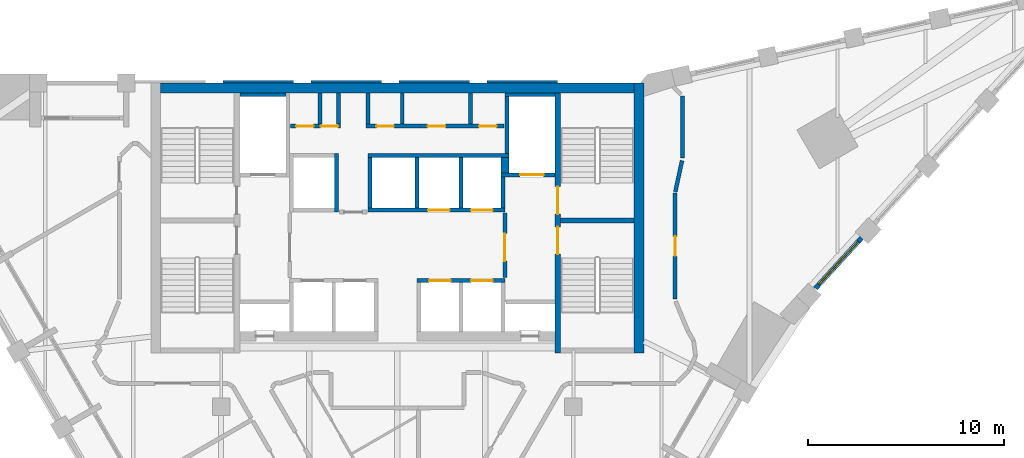
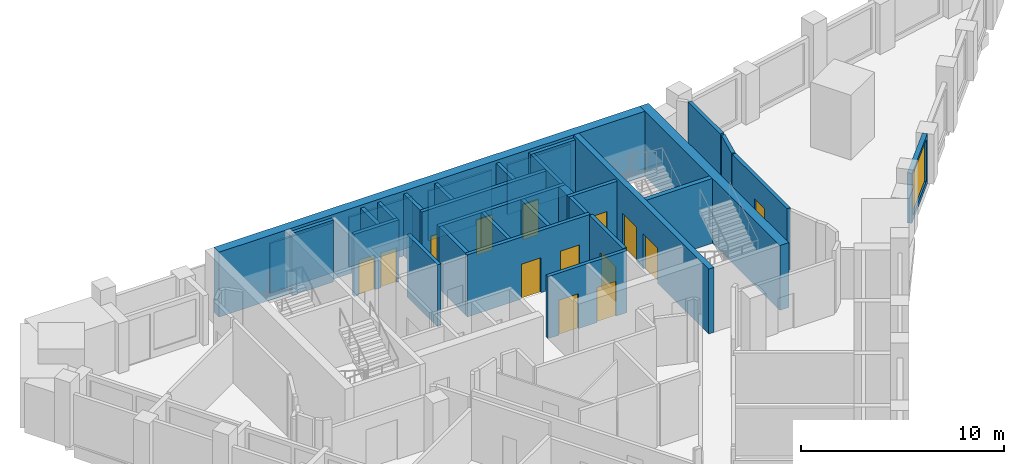
# One storey, part 6 of 8: 33 walls, 14 doors, 1 window, 15 openings.
"""IFC4 building model written with IfcOpenShell, lengths in metres."""

import ifcopenshell
import ifcopenshell.guid

model = None  # the IFC model being written
_history = None  # IfcOwnerHistory: only IFC2X3 demands one
_inside = {}  # id of a spatial element -> (the spatial element, [elements in it])
_under = {}  # id of a project, library or spatial element -> (it, [spatial elements below it])
_declared = {}  # id of a project -> (the project, [libraries it declares])
_typed = {}  # id of a type object -> (the type object, [elements of that type])
_made_of = {}  # id of a material, layer set ... -> (it, [elements and type objects made of it])


def new_model(schema):
    """Start an empty IFC model of exactly this schema.

    Asked for "IFC4X3", IfcOpenShell would pick the latest addendum, in which some entities
    have other attributes; the version numbers below select the first issue.
    IFC2X3 requires an IfcOwnerHistory on every rooted entity: one is made here for all.
    """
    global model, _history
    if schema == "IFC4X3":
        model = ifcopenshell.file(schema_version=(4, 3, 0, 0))
    else:
        model = ifcopenshell.file(schema=schema)
    _inside.clear()
    _under.clear()
    _declared.clear()
    _typed.clear()
    _made_of.clear()
    _history = None
    if model.schema == "IFC2X3":
        org = make("IfcOrganization", Name="unknown")
        user = make(
            "IfcPersonAndOrganization",
            ThePerson=make("IfcPerson", FamilyName="unknown"),
            TheOrganization=org,
        )
        app = make(
            "IfcApplication",
            ApplicationDeveloper=org,
            Version="unknown",
            ApplicationFullName="unknown",
            ApplicationIdentifier="unknown",
        )
        _history = make(
            "IfcOwnerHistory",
            OwningUser=user,
            OwningApplication=app,
            ChangeAction="ADDED",
            CreationDate=0,
        )
    return model


def make(cls, **values):
    """One entity of the class cls with the attributes given. An attribute that is None is left unset."""
    return model.create_entity(
        cls, **{name: value for name, value in values.items() if value is not None}
    )


def rooted(cls, **values):
    """An entity with a GlobalId (a new one), such as an element, a storey or a relation."""
    return make(cls, GlobalId=ifcopenshell.guid.new(), OwnerHistory=_history, **values)


def si_unit(unit_type, name, prefix=None):
    """IfcSIUnit, for example si_unit("LENGTHUNIT", "METRE", prefix="MILLI")."""
    return make("IfcSIUnit", UnitType=unit_type, Prefix=prefix, Name=name)


def assignment(units):
    """IfcUnitAssignment: the units of a project."""
    return None if units is None else make("IfcUnitAssignment", Units=units)


def point(xyz):
    """IfcCartesianPoint."""
    return None if xyz is None else make("IfcCartesianPoint", Coordinates=xyz)


def direction(xyz):
    """IfcDirection."""
    return None if xyz is None else make("IfcDirection", DirectionRatios=xyz)


def frame(location, z_axis=None, x_axis=None):
    """IfcAxis2Placement3D, a coordinate frame: its origin and axes. An axis left out is left unset."""
    return make(
        "IfcAxis2Placement3D",
        Location=point(location),
        Axis=direction(z_axis),
        RefDirection=direction(x_axis),
    )


def frame_2d(location, x_axis=None):
    """IfcAxis2Placement2D, a coordinate frame in the plane: its origin and x axis."""
    return make(
        "IfcAxis2Placement2D", Location=point(location), RefDirection=direction(x_axis)
    )


def origin():
    """The frame at (0, 0, 0) with its axes left unset."""
    return frame((0.0, 0.0, 0.0))


def place(relative_to, where):
    """IfcLocalPlacement: puts the frame where relative to a parent placement (None: the world)."""
    return make(
        "IfcLocalPlacement", PlacementRelTo=relative_to, RelativePlacement=where
    )


def context(
    kind, dimensions, precision=None, world=None, true_north=None, identifier=None
):
    """IfcGeometricRepresentationContext, for example the 3D "Model" context."""
    return make(
        "IfcGeometricRepresentationContext",
        ContextIdentifier=identifier,
        ContextType=kind,
        CoordinateSpaceDimension=dimensions,
        Precision=precision,
        WorldCoordinateSystem=world,
        TrueNorth=true_north,
    )


def subcontext(parent, identifier, kind, view, scale=None):
    """IfcGeometricRepresentationSubContext, for example "Body" below "Model"."""
    return make(
        "IfcGeometricRepresentationSubContext",
        ContextIdentifier=identifier,
        ContextType=kind,
        ParentContext=parent,
        TargetScale=scale,
        TargetView=view,
    )


def project(units=None, contexts=None):
    """IfcProject with its units and contexts."""
    return rooted(
        "IfcProject",
        Name="project",
        RepresentationContexts=contexts,
        UnitsInContext=assignment(units),
    )


def spatial(cls, under=None, at=None, **own):
    """A site, building, storey or space (cls), placed at a placement, below another one or the project."""
    s = rooted(cls, ObjectPlacement=at, **own)
    if under is not None:
        _under.setdefault(under.id(), (under, []))[1].append(s)
    return s


def polyline(points):
    """IfcPolyline through the points."""
    return make("IfcPolyline", Points=[point(p) for p in points])


def profile(cls, at=None, kind="AREA", **sizes):
    """A parametric profile (cls). Its sizes go by their IFC names, for example OverallWidth=200.0."""
    return make(cls, ProfileType=kind, Position=at, **sizes)


def rectangle(**sizes):
    """IfcRectangleProfileDef."""
    return profile("IfcRectangleProfileDef", **sizes)


def outline(outer, holes=None, kind="AREA"):
    """IfcArbitraryClosedProfileDef: a profile drawn as a closed curve; with holes, ...WithVoids."""
    if holes is None:
        return make("IfcArbitraryClosedProfileDef", ProfileType=kind, OuterCurve=outer)
    return make(
        "IfcArbitraryProfileDefWithVoids",
        ProfileType=kind,
        OuterCurve=outer,
        InnerCurves=holes,
    )


def extrude(swept, where, along, depth):
    """IfcExtrudedAreaSolid: the profile swept, set in the frame where, extruded along a direction by depth."""
    return make(
        "IfcExtrudedAreaSolid",
        SweptArea=swept,
        Position=where,
        ExtrudedDirection=direction(along),
        Depth=depth,
    )


def shape(context_of_items, identifier, shape_type, items):
    """IfcShapeRepresentation: the items that make up one representation, for example the "Body"."""
    return make(
        "IfcShapeRepresentation",
        ContextOfItems=context_of_items,
        RepresentationIdentifier=identifier,
        RepresentationType=shape_type,
        Items=items,
    )


def material(Name=None, Category=None):
    """IfcMaterial."""
    return make("IfcMaterial", Name=Name, Category=Category)


def layer(
    of_material, thickness, ventilated=None, Name=None, Category=None, Priority=None
):
    """IfcMaterialLayer: one layer of a wall or slab, of a material (None: an air gap)."""
    return make(
        "IfcMaterialLayer",
        Material=of_material,
        LayerThickness=thickness,
        IsVentilated=ventilated,
        Name=Name,
        Category=Category,
        Priority=Priority,
    )


def layer_set(layers, Name=None):
    """IfcMaterialLayerSet."""
    return make("IfcMaterialLayerSet", MaterialLayers=layers, LayerSetName=Name)


def made_of(thing, what):
    """Note that an element or type object is made of a material, layer set ...; save() writes the relation."""
    if what is not None:
        _made_of.setdefault(what.id(), (what, []))[1].append(thing)
    return thing


def type_object(cls, material=None, **own):
    """A type object (cls), such as IfcWallType, which elements share."""
    return made_of(rooted(cls, **own), material)


def element(
    cls,
    number,
    at=None,
    inside=None,
    cuts=None,
    type_object=None,
    material=None,
    context=None,
    identifier="Body",
    shape_type=None,
    held_by="IfcProductDefinitionShape",
    body=None,
    shapes=None,
    **own,
):
    """One element of the class cls, such as IfcWall. Its Tag is "e" and its number.

    at: its placement. inside: the storey or other place that contains it. cuts: it is an
    opening in that element (IfcRelVoidsElement). A single representation is given by context,
    identifier, shape_type and body (its items); several are given by shapes. held_by: the class
    of the entity that holds the representations. save() writes the other relations.
    """
    e = rooted(cls, Tag="e%d" % number, ObjectPlacement=at, **own)
    if body is not None:
        shapes = [shape(context, identifier, shape_type, body)]
    if shapes is not None:
        e.Representation = make(held_by, Representations=shapes)
    if inside is not None:
        _inside.setdefault(inside.id(), (inside, []))[1].append(e)
    if cuts is not None:
        rooted(
            "IfcRelVoidsElement", RelatingBuildingElement=cuts, RelatedOpeningElement=e
        )
    if type_object is not None:
        _typed.setdefault(type_object.id(), (type_object, []))[1].append(e)
    return made_of(e, material)


def fill(opening, filler):
    """IfcRelFillsElement: the door or window that sits in an opening."""
    return rooted(
        "IfcRelFillsElement",
        RelatingOpeningElement=opening,
        RelatedBuildingElement=filler,
    )


def aggregate(whole, parts):
    """IfcRelAggregates: a whole, such as a stair, and the parts it consists of."""
    return rooted("IfcRelAggregates", RelatingObject=whole, RelatedObjects=parts)


def save(model, path):
    """Write the relations noted so far, then the file.

    IfcRelAggregates (storeys below a building ...), IfcRelContainedInSpatialStructure (elements
    in a storey), IfcRelDefinesByType, IfcRelAssociatesMaterial and IfcRelDeclares: one each for
    every whole, place, type object, material and project.
    """
    for whole, parts in _under.values():
        aggregate(whole, parts)
    for where, things in _inside.values():
        rooted(
            "IfcRelContainedInSpatialStructure",
            RelatedElements=things,
            RelatingStructure=where,
        )
    for kind, things in _typed.values():
        rooted("IfcRelDefinesByType", RelatedObjects=things, RelatingType=kind)
    for what, things in _made_of.values():
        rooted("IfcRelAssociatesMaterial", RelatedObjects=things, RelatingMaterial=what)
    for by, libraries in _declared.values():
        rooted("IfcRelDeclares", RelatingContext=by, RelatedDefinitions=libraries)
    model.write(path)


model = new_model("IFC4")

# Units and contexts
model_context = context("Model", 3, precision=1e-05, world=origin(), true_north=direction((0.0, 1.0)))
body_context = subcontext(model_context, "Body", "Model", "MODEL_VIEW")
ifc_project = project(units=[si_unit("LENGTHUNIT", "METRE"), si_unit("AREAUNIT", "SQUARE_METRE"), si_unit("VOLUMEUNIT", "CUBIC_METRE"), si_unit("PLANEANGLEUNIT", "RADIAN"), si_unit("MASSUNIT", "GRAM", prefix="KILO")], contexts=[model_context])

# Site, building, storey
site_placement = place(None, origin())
site = spatial("IfcSite", under=ifc_project, at=site_placement, CompositionType="ELEMENT")
building_placement = place(site_placement, origin())
building = spatial("IfcBuilding", under=site, at=building_placement, Name="Calabash Gate Tower", CompositionType="ELEMENT")
storey_placement = place(building_placement, frame((0.0, 0.0, 252.10009765625)))
storey = spatial("IfcBuildingStorey", under=building, at=storey_placement, Name="L60", CompositionType="ELEMENT", Elevation=252.10009765625)

# Walls
ifc_material_1 = material(Name="Gypsum board on steel studs, mineral wool", Category="steel")
ifc_layer_1 = layer(ifc_material_1, 0.199951171875)
ifc_layer_set_1 = layer_set([ifc_layer_1], Name="Core partition 200 gypsum board")
wall_type_1 = type_object("IfcWallType", Name="Core partition 200 gypsum board", PredefinedType="PARTITIONING", material=ifc_layer_set_1)
for number, where, z_axis, x_axis, name in (
    (1, (-3.949951171875, 16.95263671875, 0.0), (0.0, 0.0, 1.0), (0.0, 1.0, 0.0), "Core partition"),
    (2, (-3.0, 16.95263671875, 0.0), (0.0, 0.0, 1.0), (0.0, 1.0, 0.0), "Core partition"),
    (3, (-1.5, 16.95263671875, 0.0), (0.0, 0.0, 1.0), (0.0, 1.0, 0.0), "Core partition"),
    (4, (0.25, 16.95263671875, 0.0), (0.0, 0.0, 1.0), (0.0, 1.0, 0.0), "Core partition"),
    (5, (3.75, 16.95263671875, 0.0), (0.0, 0.0, 1.0), (0.0, 1.0, 0.0), "Core partition"),
):
    element("IfcWall", number, at=place(storey_placement, frame(where, z_axis=z_axis, x_axis=x_axis)), inside=storey, type_object=wall_type_1, Name=name, PredefinedType="PARTITIONING", context=body_context, shape_type="SweptSolid", body=[
        extrude(rectangle(XDim=1.599853515625, YDim=0.199951171875, at=frame_2d((0.7998046875, 0.0))), origin(), (0.0, 0.0, 1.0), 3.72998046875),
    ])
ifc_material_2 = material(Name="Concrete C60/75", Category="concrete")
ifc_layer_2 = layer(ifc_material_2, 0.25)
ifc_layer_set_2 = layer_set([ifc_layer_2], Name="Core wall 250 Concrete C60/75")
wall_type_2 = type_object("IfcWallType", Name="Core wall 250 Concrete C60/75", PredefinedType="SHEAR", material=ifc_layer_set_2)
wall_1_placement = place(storey_placement, frame((8.35009765625, 12.027587890625, 0.0), z_axis=(0.0, 0.0, 1.0), x_axis=(1.0, 0.0, 0.0)))
element("IfcWall", 6, at=wall_1_placement, inside=storey, type_object=wall_type_2, Name="Core wall Z5-MIDE L60", PredefinedType="SHEAR", context=body_context, shape_type="SweptSolid", body=[
    extrude(rectangle(XDim=3.75, YDim=0.25, at=frame_2d((1.875, 0.0))), origin(), (0.0, 0.0, 1.0), 3.89990234375),
])

# Wall, openings, doors
ifc_material_3 = material(Name="Concrete C60/75", Category="concrete")
ifc_layer_3 = layer(ifc_material_3, 0.300048828125)
ifc_layer_set_3 = layer_set([ifc_layer_3], Name="Core wall 300 Concrete C60/75")
wall_type_3 = type_object("IfcWallType", Name="Core wall 300 Concrete C60/75", PredefinedType="SHEAR", material=ifc_layer_set_3)
wall_2_placement = place(storey_placement, frame((8.199951171875, 5.252685546875, 0.0), z_axis=(0.0, 0.0, 1.0), x_axis=(0.0, 1.0, 0.0)))
wall_2 = element("IfcWall", 7, at=wall_2_placement, inside=storey, type_object=wall_type_3, Name="Core wall Z5-PARTE L60", PredefinedType="SHEAR", context=body_context, shape_type="SweptSolid", body=[
    extrude(rectangle(XDim=13.2998046875, YDim=0.300048828125, at=frame_2d((6.64990234375, 0.0))), origin(), (0.0, 0.0, 1.0), 3.89990234375),
])
opening_1_placement = place(wall_2_placement, frame((7.10009765625, 0.0, 0.0)))
opening_1 = element("IfcOpeningElement", 8, at=opening_1_placement, cuts=wall_2, Name="Opening O9-013", PredefinedType="OPENING", context=body_context, shape_type="SweptSolid", body=[
    extrude(rectangle(XDim=1.39990234375, YDim=2.10009765625, at=frame_2d((0.699951171875, 1.050048828125))), frame((0.0, 0.159912109375, 0.0), z_axis=(0.0, -1.0, 0.0), x_axis=(1.0, 0.0, 0.0)), (0.0, 0.0, 1.0), 0.320068359375),
])
opening_2_placement = place(wall_2_placement, frame((5.050048828125, 0.0, 0.0)))
opening_2 = element("IfcOpeningElement", 9, at=opening_2_placement, cuts=wall_2, Name="Opening O9-014", PredefinedType="OPENING", context=body_context, shape_type="SweptSolid", body=[
    extrude(rectangle(XDim=1.39990234375, YDim=2.10009765625, at=frame_2d((0.699951171875, 1.050048828125))), frame((0.0, 0.159912109375, 0.0), z_axis=(0.0, -1.0, 0.0), x_axis=(1.0, 0.0, 0.0)), (0.0, 0.0, 1.0), 0.320068359375),
])
ifc_material_4 = material(Name="Steel fire door set with fire-resisting glazing", Category="steel")
door_type_1 = type_object("IfcDoorType", Name="Fire door D05 1400x2100 FD90", OperationType="NOTDEFINED", PredefinedType="DOOR", material=ifc_material_4)
door_1_placement = place(opening_1_placement, origin())
door_1 = element("IfcDoor", 10, at=door_1_placement, inside=storey, type_object=door_type_1, Name="Exit stair door ST3", OperationType="SINGLE_SWING_RIGHT", OverallHeight=2.10009765625, OverallWidth=1.39990234375, PredefinedType="DOOR", context=body_context, shape_type="SweptSolid", body=[
    extrude(rectangle(XDim=1.39990234375, YDim=2.10009765625, at=frame_2d((0.699951171875, 1.050048828125))), frame((0.0, 0.02490234375, 0.0), z_axis=(0.0, -1.0, 0.0), x_axis=(1.0, 0.0, 0.0)), (0.0, 0.0, 1.0), 0.050048828125),
])
fill(opening_1, door_1)
door_2_placement = place(opening_2_placement, origin())
door_2 = element("IfcDoor", 11, at=door_2_placement, inside=storey, type_object=door_type_1, Name="Exit stair door ST4", OperationType="SINGLE_SWING_LEFT", OverallHeight=2.10009765625, OverallWidth=1.39990234375, PredefinedType="DOOR", context=body_context, shape_type="SweptSolid", body=[
    extrude(rectangle(XDim=1.39990234375, YDim=2.10009765625, at=frame_2d((0.699951171875, 1.050048828125))), frame((0.0, 0.02490234375, 0.0), z_axis=(0.0, -1.0, 0.0), x_axis=(1.0, 0.0, 0.0)), (0.0, 0.0, 1.0), 0.050048828125),
])
fill(opening_2, door_2)

# Walls
ifc_material_5 = material(Name="Concrete C60/75", Category="concrete")
ifc_layer_4 = layer(ifc_material_5, 0.5)
ifc_layer_set_4 = layer_set([ifc_layer_4], Name="Core wall 500 Concrete C60/75")
wall_type_4 = type_object("IfcWallType", Name="Core wall 500 Concrete C60/75", PredefinedType="SHEAR", material=ifc_layer_set_4)
wall_3_placement = place(storey_placement, frame((-12.10009765625, 18.802490234375, 0.0), z_axis=(0.0, 0.0, 1.0), x_axis=(1.0, 0.0, 0.0)))
element("IfcWall", 12, at=wall_3_placement, inside=storey, type_object=wall_type_4, Name="Core wall Z5-N L60", PredefinedType="SHEAR", context=body_context, shape_type="SweptSolid", body=[
    extrude(rectangle(XDim=24.2001953125, YDim=0.5, at=frame_2d((12.10009765625, 0.0))), origin(), (0.0, 0.0, 1.0), 3.89990234375),
])
wall_4_placement = place(storey_placement, frame((12.35009765625, 5.252685546875, 0.0), z_axis=(0.0, 0.0, 1.0), x_axis=(0.0, 1.0, 0.0)))
element("IfcWall", 13, at=wall_4_placement, inside=storey, type_object=wall_type_4, Name="Core wall Z5-COLE L60", PredefinedType="SHEAR", context=body_context, shape_type="SweptSolid", body=[
    extrude(rectangle(XDim=13.7998046875, YDim=0.5, at=frame_2d((6.89990234375, 0.0))), origin(), (0.0, 0.0, 1.0), 3.89990234375),
])

# Wall, opening, door
ifc_material_6 = material(Name="Gypsum board on steel studs, mineral wool", Category="steel")
ifc_layer_5 = layer(ifc_material_6, 0.199951171875)
ifc_layer_set_5 = layer_set([ifc_layer_5], Name="Partition 200 gypsum board EI 60")
wall_type_5 = type_object("IfcWallType", Name="Partition 200 gypsum board EI 60", PredefinedType="PARTITIONING", material=ifc_layer_set_5)
wall_5_placement = place(storey_placement, frame((14.200439453125, 8.017333984375, 0.0), z_axis=(0.0, 0.0, 1.0), x_axis=(0.0, 1.0, 0.0)))
wall_5 = element("IfcWall", 14, at=wall_5_placement, inside=storey, type_object=wall_type_5, Name="Partition", PredefinedType="PARTITIONING", context=body_context, shape_type="SweptSolid", body=[
    extrude(rectangle(XDim=5.400146484375, YDim=0.199951171875, at=frame_2d((2.7001953125, 0.0))), origin(), (0.0, 0.0, 1.0), 3.72998046875),
])
opening_3_placement = place(wall_5_placement, frame((2.2001953125, 0.0, 0.0)))
opening_3 = element("IfcOpeningElement", 15, at=opening_3_placement, cuts=wall_5, Name="Opening 59-61-010", PredefinedType="OPENING", context=body_context, shape_type="SweptSolid", body=[
    extrude(rectangle(XDim=1.0, YDim=2.39990234375, at=frame_2d((0.5, 1.199951171875))), frame((0.0, 0.10986328125, 0.0), z_axis=(0.0, -1.0, 0.0), x_axis=(1.0, 0.0, 0.0)), (0.0, 0.0, 1.0), 0.219970703125),
])
ifc_material_7 = material(Name="Painted timber door", Category="wood")
door_type_2 = type_object("IfcDoorType", Name="OD2 Glazed office door 1000x2400", OperationType="NOTDEFINED", PredefinedType="DOOR", material=ifc_material_7)
door_3_placement = place(opening_3_placement, origin())
door_3 = element("IfcDoor", 16, at=door_3_placement, inside=storey, type_object=door_type_2, Name="Glazed office door", OperationType="SINGLE_SWING_LEFT", OverallHeight=2.39990234375, OverallWidth=1.0, PredefinedType="DOOR", context=body_context, shape_type="SweptSolid", body=[
    extrude(rectangle(XDim=1.0, YDim=2.39990234375, at=frame_2d((0.5, 1.199951171875))), frame((0.0, 0.02490234375, 0.0), z_axis=(0.0, -1.0, 0.0), x_axis=(1.0, 0.0, 0.0)), (0.0, 0.0, 1.0), 0.050048828125),
])
fill(opening_3, door_3)

# Walls
wall_6_placement = place(storey_placement, frame((14.2080078125, 13.48681640625, 0.0), z_axis=(0.0, 0.0, 1.0), x_axis=(0.210294567168, 0.977638069543, 0.0)))
element("IfcWall", 17, at=wall_6_placement, inside=storey, type_object=wall_type_5, Name="Partition", PredefinedType="PARTITIONING", context=body_context, shape_type="SweptSolid", body=[
    extrude(rectangle(XDim=1.633544921875, YDim=0.199951171875, at=frame_2d((0.81689453125, 0.0))), origin(), (0.0, 0.0, 1.0), 3.72998046875),
])
wall_7_placement = place(storey_placement, frame((14.566162109375, 18.392578125, 0.0), z_axis=(0.0, 0.0, 1.0), x_axis=(0.0, -1.0, 0.0)))
element("IfcWall", 18, at=wall_7_placement, inside=storey, type_object=wall_type_5, Name="Partition", PredefinedType="PARTITIONING", context=body_context, shape_type="SweptSolid", body=[
    extrude(rectangle(XDim=3.169921875, YDim=0.199951171875, at=frame_2d((1.5849609375, 0.0))), origin(), (0.0, 0.0, 1.0), 3.72998046875),
])

# Wall, opening, window
ifc_material_8 = material(Name="Aluminium framed window wall with insulated spandrel", Category="aluminium")
ifc_layer_6 = layer(ifc_material_8, 0.25)
ifc_layer_set_6 = layer_set([ifc_layer_6], Name="Prow window wall 250")
wall_type_6 = type_object("IfcWallType", Name="Prow window wall 250", PredefinedType="ELEMENTEDWALL", material=ifc_layer_set_6)
wall_8_placement = place(storey_placement, frame((21.367919921875, 8.5537109375, 0.0), z_axis=(0.0, 0.0, 1.0), x_axis=(0.67487449122, 0.737932531537, 0.0)))
wall_8 = element("IfcWall", 19, at=wall_8_placement, inside=storey, type_object=wall_type_6, Name="Prow window wall S17 wedge3.1", PredefinedType="ELEMENTEDWALL", context=body_context, shape_type="SweptSolid", body=[
    extrude(rectangle(XDim=3.5, YDim=0.25, at=frame_2d((1.75, 0.0))), origin(), (0.0, 0.0, 1.0), 3.0),
])
opening_4_placement = place(wall_8_placement, frame((0.25, 0.0, 0.300048828125)))
opening_4 = element("IfcOpeningElement", 20, at=opening_4_placement, cuts=wall_8, Name="Opening WP2", PredefinedType="OPENING", context=body_context, shape_type="SweptSolid", body=[
    extrude(rectangle(XDim=3.0, YDim=2.5, at=frame_2d((1.5, 1.25))), frame((0.0, 0.135009765625, 0.0), z_axis=(0.0, -1.0, 0.0), x_axis=(1.0, 0.0, 0.0)), (0.0, 0.0, 1.0), 0.27001953125),
])
ifc_material_9 = material(Name="Anodised aluminium frame, bronze finish, impact-rated laminated clear glazing", Category="aluminium")
window_type = type_object("IfcWindowType", Name="Window WP2 3000x2500", PartitioningType="DOUBLE_PANEL_VERTICAL", PredefinedType="WINDOW", material=ifc_material_9)
window_placement = place(opening_4_placement, origin())
window = element("IfcWindow", 21, at=window_placement, inside=storey, type_object=window_type, Name="Prow window WP2 S17 wedge3.1", OverallHeight=2.5, OverallWidth=3.0, PartitioningType="SINGLE_PANEL", PredefinedType="WINDOW", context=body_context, shape_type="SweptSolid", body=[
    extrude(rectangle(XDim=3.0, YDim=2.5, at=frame_2d((1.5, 1.25))), frame((0.0, 0.030029296875, 0.0), z_axis=(0.0, -1.0, 0.0), x_axis=(1.0, 0.0, 0.0)), (0.0, 0.0, 1.0), 0.06005859375),
])
fill(opening_4, window)

# Wall, openings, doors
ifc_material_10 = material(Name="Concrete C40/50", Category="concrete")
ifc_layer_7 = layer(ifc_material_10, 0.199951171875)
ifc_layer_set_7 = layer_set([ifc_layer_7], Name="Shaft wall 200 Concrete C40/50")
wall_type_7 = type_object("IfcWallType", Name="Shaft wall 200 Concrete C40/50", PredefinedType="SOLIDWALL", material=ifc_layer_set_7)
wall_9_placement = place(storey_placement, frame((1.0, 8.95263671875, 0.0), z_axis=(0.0, 0.0, 1.0), x_axis=(1.0, 0.0, 0.0)))
wall_9 = element("IfcWall", 22, at=wall_9_placement, inside=storey, type_object=wall_type_7, Name="Shaft wall", PredefinedType="SOLIDWALL", context=body_context, shape_type="SweptSolid", body=[
    extrude(rectangle(XDim=4.5, YDim=0.199951171875, at=frame_2d((2.25, 0.0))), origin(), (0.0, 0.0, 1.0), 3.72998046875),
])
opening_5_placement = place(wall_9_placement, frame((0.625, 0.0, 0.0)))
opening_5 = element("IfcOpeningElement", 23, at=opening_5_placement, cuts=wall_9, Name="Opening LD-HR3", PredefinedType="OPENING", context=body_context, shape_type="SweptSolid", body=[
    extrude(rectangle(XDim=1.10009765625, YDim=2.10009765625, at=frame_2d((0.550048828125, 1.050048828125))), frame((0.0, 0.10986328125, 0.0), z_axis=(0.0, -1.0, 0.0), x_axis=(1.0, 0.0, 0.0)), (0.0, 0.0, 1.0), 0.219970703125),
])
opening_6_placement = place(wall_9_placement, frame((2.77490234375, 0.0, 0.0)))
opening_6 = element("IfcOpeningElement", 24, at=opening_6_placement, cuts=wall_9, Name="Opening LD-HR4", PredefinedType="OPENING", context=body_context, shape_type="SweptSolid", body=[
    extrude(rectangle(XDim=1.10009765625, YDim=2.10009765625, at=frame_2d((0.550048828125, 1.050048828125))), frame((0.0, 0.10986328125, 0.0), z_axis=(0.0, -1.0, 0.0), x_axis=(1.0, 0.0, 0.0)), (0.0, 0.0, 1.0), 0.219970703125),
])
ifc_material_11 = material(Name="Stainless steel sliding door leaves", Category="steel")
door_type_3 = type_object("IfcDoorType", Name="Lift landing door LS1 1100x2100 FD90", OperationType="DOUBLE_DOOR_SLIDING", PredefinedType="DOOR", material=ifc_material_11)
door_4_placement = place(opening_5_placement, origin())
door_4 = element("IfcDoor", 25, at=door_4_placement, inside=storey, type_object=door_type_3, Name="Lift landing door HR3", OperationType="DOUBLE_DOOR_SLIDING", OverallHeight=2.10009765625, OverallWidth=1.10009765625, PredefinedType="DOOR", context=body_context, shape_type="SweptSolid", body=[
    extrude(rectangle(XDim=1.10009765625, YDim=2.10009765625, at=frame_2d((0.550048828125, 1.050048828125))), frame((0.0, 0.02490234375, 0.0), z_axis=(0.0, -1.0, 0.0), x_axis=(1.0, 0.0, 0.0)), (0.0, 0.0, 1.0), 0.050048828125),
])
fill(opening_5, door_4)
door_5_placement = place(opening_6_placement, origin())
door_5 = element("IfcDoor", 26, at=door_5_placement, inside=storey, type_object=door_type_3, Name="Lift landing door HR4", OperationType="DOUBLE_DOOR_SLIDING", OverallHeight=2.10009765625, OverallWidth=1.10009765625, PredefinedType="DOOR", context=body_context, shape_type="SweptSolid", body=[
    extrude(rectangle(XDim=1.10009765625, YDim=2.10009765625, at=frame_2d((0.550048828125, 1.050048828125))), frame((0.0, 0.02490234375, 0.0), z_axis=(0.0, -1.0, 0.0), x_axis=(1.0, 0.0, 0.0)), (0.0, 0.0, 1.0), 0.050048828125),
])
fill(opening_6, door_5)

# Wall, opening, door
wall_10_placement = place(storey_placement, frame((5.5, 9.1025390625, 0.0), z_axis=(0.0, 0.0, 1.0), x_axis=(0.0, 1.0, 0.0)))
wall_10 = element("IfcWall", 27, at=wall_10_placement, inside=storey, type_object=wall_type_7, Name="Shaft wall", PredefinedType="SOLIDWALL", context=body_context, shape_type="SweptSolid", body=[
    extrude(rectangle(XDim=3.300048828125, YDim=0.199951171875, at=frame_2d((1.64990234375, 0.0))), origin(), (0.0, 0.0, 1.0), 3.72998046875),
])
opening_7_placement = place(wall_10_placement, frame((0.85009765625, 0.0, 0.0)))
opening_7 = element("IfcOpeningElement", 28, at=opening_7_placement, cuts=wall_10, Name="Opening O9-002", PredefinedType="OPENING", context=body_context, shape_type="SweptSolid", body=[
    extrude(rectangle(XDim=1.39990234375, YDim=2.10009765625, at=frame_2d((0.699951171875, 1.050048828125))), frame((0.0, 0.10986328125, 0.0), z_axis=(0.0, -1.0, 0.0), x_axis=(1.0, 0.0, 0.0)), (0.0, 0.0, 1.0), 0.219970703125),
])
door_6_placement = place(opening_7_placement, origin())
door_6 = element("IfcDoor", 29, at=door_6_placement, inside=storey, type_object=door_type_1, Name="Firefighting Lobby E door", OperationType="SINGLE_SWING_LEFT", OverallHeight=2.10009765625, OverallWidth=1.39990234375, PredefinedType="DOOR", context=body_context, shape_type="SweptSolid", body=[
    extrude(rectangle(XDim=1.39990234375, YDim=2.10009765625, at=frame_2d((0.699951171875, 1.050048828125))), frame((0.0, 0.02490234375, 0.0), z_axis=(0.0, -1.0, 0.0), x_axis=(1.0, 0.0, 0.0)), (0.0, 0.0, 1.0), 0.050048828125),
])
fill(opening_7, door_6)

# Wall
wall_11_placement = place(storey_placement, frame((-3.10009765625, 12.45263671875, 0.0), z_axis=(0.0, 0.0, 1.0), x_axis=(0.0, 1.0, 0.0)))
element("IfcWall", 30, at=wall_11_placement, inside=storey, type_object=wall_type_7, Name="Shaft wall", PredefinedType="SOLIDWALL", context=body_context, shape_type="SweptSolid", body=[
    extrude(rectangle(XDim=3.0, YDim=0.199951171875, at=frame_2d((1.5, 0.0))), origin(), (0.0, 0.0, 1.0), 3.72998046875),
])

# Wall, openings, doors
wall_12_placement = place(storey_placement, frame((-1.5, 12.552490234375, 0.0), z_axis=(0.0, 0.0, 1.0), x_axis=(1.0, 0.0, 0.0)))
wall_12 = element("IfcWall", 31, at=wall_12_placement, inside=storey, type_object=wall_type_7, Name="Shaft wall", PredefinedType="SOLIDWALL", context=body_context, shape_type="SweptSolid", body=[
    extrude(rectangle(XDim=7.0, YDim=0.199951171875, at=frame_2d((3.5, 0.0))), origin(), (0.0, 0.0, 1.0), 3.72998046875),
])
opening_8_placement = place(wall_12_placement, frame((3.074951171875, 0.0, 0.0)))
opening_8 = element("IfcOpeningElement", 32, at=opening_8_placement, cuts=wall_12, Name="Opening LD-HR5", PredefinedType="OPENING", context=body_context, shape_type="SweptSolid", body=[
    extrude(rectangle(XDim=1.10009765625, YDim=2.10009765625, at=frame_2d((0.550048828125, 1.050048828125))), frame((0.0, 0.10986328125, 0.0), z_axis=(0.0, -1.0, 0.0), x_axis=(1.0, 0.0, 0.0)), (0.0, 0.0, 1.0), 0.219970703125),
])
opening_9_placement = place(wall_12_placement, frame((5.27490234375, 0.0, 0.0)))
opening_9 = element("IfcOpeningElement", 33, at=opening_9_placement, cuts=wall_12, Name="Opening LD-HR6", PredefinedType="OPENING", context=body_context, shape_type="SweptSolid", body=[
    extrude(rectangle(XDim=1.10009765625, YDim=2.10009765625, at=frame_2d((0.550048828125, 1.050048828125))), frame((0.0, 0.10986328125, 0.0), z_axis=(0.0, -1.0, 0.0), x_axis=(1.0, 0.0, 0.0)), (0.0, 0.0, 1.0), 0.219970703125),
])
door_7_placement = place(opening_8_placement, origin())
door_7 = element("IfcDoor", 34, at=door_7_placement, inside=storey, type_object=door_type_3, Name="Lift landing door HR5", OperationType="DOUBLE_DOOR_SLIDING", OverallHeight=2.10009765625, OverallWidth=1.10009765625, PredefinedType="DOOR", context=body_context, shape_type="SweptSolid", body=[
    extrude(rectangle(XDim=1.10009765625, YDim=2.10009765625, at=frame_2d((0.550048828125, 1.050048828125))), frame((0.0, 0.02490234375, 0.0), z_axis=(0.0, -1.0, 0.0), x_axis=(1.0, 0.0, 0.0)), (0.0, 0.0, 1.0), 0.050048828125),
])
fill(opening_8, door_7)
door_8_placement = place(opening_9_placement, origin())
door_8 = element("IfcDoor", 35, at=door_8_placement, inside=storey, type_object=door_type_3, Name="Lift landing door HR6", OperationType="DOUBLE_DOOR_SLIDING", OverallHeight=2.10009765625, OverallWidth=1.10009765625, PredefinedType="DOOR", context=body_context, shape_type="SweptSolid", body=[
    extrude(rectangle(XDim=1.10009765625, YDim=2.10009765625, at=frame_2d((0.550048828125, 1.050048828125))), frame((0.0, 0.02490234375, 0.0), z_axis=(0.0, -1.0, 0.0), x_axis=(1.0, 0.0, 0.0)), (0.0, 0.0, 1.0), 0.050048828125),
])
fill(opening_9, door_8)

# Walls
for number, where, z_axis, x_axis, name in (
    (36, (-1.39990234375, 12.652587890625, 0.0), (0.0, 0.0, 1.0), (0.0, 1.0, 0.0), "Shaft wall"),
    (37, (1.0, 12.652587890625, 0.0), (0.0, 0.0, 1.0), (0.0, 1.0, 0.0), "Shaft wall"),
    (38, (3.25, 12.652587890625, 0.0), (0.0, 0.0, 1.0), (0.0, 1.0, 0.0), "Shaft wall"),
):
    element("IfcWall", number, at=place(storey_placement, frame(where, z_axis=z_axis, x_axis=x_axis)), inside=storey, type_object=wall_type_7, Name=name, PredefinedType="SOLIDWALL", context=body_context, shape_type="SweptSolid", body=[
        extrude(rectangle(XDim=2.60009765625, YDim=0.199951171875, at=frame_2d((1.300048828125, 0.0))), origin(), (0.0, 0.0, 1.0), 3.72998046875),
    ])
wall_13_placement = place(storey_placement, frame((5.39990234375, 12.652587890625, 0.0), z_axis=(0.0, 0.0, 1.0), x_axis=(0.0, 1.0, 0.0)))
element("IfcWall", 39, at=wall_13_placement, inside=storey, type_object=wall_type_7, Name="Shaft wall", PredefinedType="SOLIDWALL", context=body_context, shape_type="SweptSolid", body=[
    extrude(rectangle(XDim=1.60009765625, YDim=0.199951171875, at=frame_2d((0.800048828125, 0.0))), origin(), (0.0, 0.0, 1.0), 3.72998046875),
])

# Wall, opening, door
wall_14_placement = place(storey_placement, frame((5.300048828125, 14.3525390625, 0.0), z_axis=(0.0, 0.0, 1.0), x_axis=(1.0, 0.0, 0.0)))
wall_14 = element("IfcWall", 40, at=wall_14_placement, inside=storey, type_object=wall_type_7, Name="Shaft wall", PredefinedType="SOLIDWALL", context=body_context, shape_type="SweptSolid", body=[
    extrude(rectangle(XDim=2.75, YDim=0.199951171875, at=frame_2d((1.375, 0.0))), origin(), (0.0, 0.0, 1.0), 3.72998046875),
])
opening_10_placement = place(wall_14_placement, frame((0.97509765625, 0.0, 0.0)))
opening_10 = element("IfcOpeningElement", 41, at=opening_10_placement, cuts=wall_14, Name="Opening LD-FF2", PredefinedType="OPENING", context=body_context, shape_type="SweptSolid", body=[
    extrude(rectangle(XDim=1.199951171875, YDim=2.10009765625, at=frame_2d((0.60009765625, 1.050048828125))), frame((0.0, 0.10986328125, 0.0), z_axis=(0.0, -1.0, 0.0), x_axis=(1.0, 0.0, 0.0)), (0.0, 0.0, 1.0), 0.219970703125),
])
ifc_material_12 = material(Name="Stainless steel sliding door leaves", Category="steel")
door_type_4 = type_object("IfcDoorType", Name="Lift landing door LS3 1200x2100 FD90", OperationType="DOUBLE_DOOR_SLIDING", PredefinedType="DOOR", material=ifc_material_12)
door_9_placement = place(opening_10_placement, origin())
door_9 = element("IfcDoor", 42, at=door_9_placement, inside=storey, type_object=door_type_4, Name="Lift landing door FF2", OperationType="DOUBLE_DOOR_SLIDING", OverallHeight=2.10009765625, OverallWidth=1.199951171875, PredefinedType="DOOR", context=body_context, shape_type="SweptSolid", body=[
    extrude(rectangle(XDim=1.199951171875, YDim=2.10009765625, at=frame_2d((0.60009765625, 1.050048828125))), frame((0.0, 0.02490234375, 0.0), z_axis=(0.0, -1.0, 0.0), x_axis=(1.0, 0.0, 0.0)), (0.0, 0.0, 1.0), 0.050048828125),
])
fill(opening_10, door_9)

# Walls
wall_15_placement = place(storey_placement, frame((5.5, 14.45263671875, 0.0), z_axis=(0.0, 0.0, 1.0), x_axis=(0.0, 1.0, 0.0)))
element("IfcWall", 43, at=wall_15_placement, inside=storey, type_object=wall_type_7, Name="Shaft wall", PredefinedType="SOLIDWALL", context=body_context, shape_type="SweptSolid", body=[
    extrude(rectangle(XDim=0.800048828125, YDim=0.39990234375, at=frame_2d((0.39990234375, 0.0))), origin(), (0.0, 0.0, 1.0), 3.72998046875),
])
wall_16_placement = place(storey_placement, frame((-1.5, 15.3525390625, 0.0), z_axis=(0.0, 0.0, 1.0), x_axis=(1.0, 0.0, 0.0)))
element("IfcWall", 44, at=wall_16_placement, inside=storey, type_object=wall_type_7, Name="Shaft wall", PredefinedType="SOLIDWALL", context=body_context, shape_type="SweptSolid", body=[
    extrude(rectangle(XDim=7.199951171875, YDim=0.199951171875, at=frame_2d((3.60009765625, 0.0))), origin(), (0.0, 0.0, 1.0), 3.72998046875),
])
wall_17_placement = place(storey_placement, frame((5.60009765625, 15.45263671875, 0.0), z_axis=(0.0, 0.0, 1.0), x_axis=(0.0, 1.0, 0.0)))
element("IfcWall", 45, at=wall_17_placement, inside=storey, type_object=wall_type_7, Name="Shaft wall", PredefinedType="SOLIDWALL", context=body_context, shape_type="SweptSolid", body=[
    extrude(rectangle(XDim=2.89990234375, YDim=0.199951171875, at=frame_2d((1.449951171875, 0.0))), origin(), (0.0, 0.0, 1.0), 3.72998046875),
])

# Wall, openings, doors
wall_18_placement = place(storey_placement, frame((-5.449951171875, 16.8525390625, 0.0), z_axis=(0.0, 0.0, 1.0), x_axis=(1.0, 0.0, 0.0)))
wall_18 = element("IfcWall", 46, at=wall_18_placement, inside=storey, type_object=wall_type_7, Name="Shaft wall", PredefinedType="SOLIDWALL", context=body_context, shape_type="SweptSolid", body=[
    extrude(rectangle(XDim=2.550048828125, YDim=0.199951171875, at=frame_2d((1.27490234375, 0.0))), origin(), (0.0, 0.0, 1.0), 3.72998046875),
])
opening_11_placement = place(wall_18_placement, frame((0.27490234375, 0.0, 0.0)))
opening_11 = element("IfcOpeningElement", 47, at=opening_11_placement, cuts=wall_18, Name="Opening O9-004", PredefinedType="OPENING", context=body_context, shape_type="SweptSolid", body=[
    extrude(rectangle(XDim=0.89990234375, YDim=2.10009765625, at=frame_2d((0.449951171875, 1.050048828125))), frame((0.0, 0.10986328125, 0.0), z_axis=(0.0, -1.0, 0.0), x_axis=(1.0, 0.0, 0.0)), (0.0, 0.0, 1.0), 0.219970703125),
])
opening_12_placement = place(wall_18_placement, frame((1.52490234375, 0.0, 0.0)))
opening_12 = element("IfcOpeningElement", 48, at=opening_12_placement, cuts=wall_18, Name="Opening O9-005", PredefinedType="OPENING", context=body_context, shape_type="SweptSolid", body=[
    extrude(rectangle(XDim=0.89990234375, YDim=2.10009765625, at=frame_2d((0.449951171875, 1.050048828125))), frame((0.0, 0.10986328125, 0.0), z_axis=(0.0, -1.0, 0.0), x_axis=(1.0, 0.0, 0.0)), (0.0, 0.0, 1.0), 0.219970703125),
])
ifc_material_13 = material(Name="Steel fire door set with fire-resisting glazing", Category="steel")
door_type_5 = type_object("IfcDoorType", Name="Fire door D06 900x2100 FD60", OperationType="NOTDEFINED", PredefinedType="DOOR", material=ifc_material_13)
door_10_placement = place(opening_11_placement, origin())
door_10 = element("IfcDoor", 49, at=door_10_placement, inside=storey, type_object=door_type_5, Name="Accessible WC door", OperationType="SINGLE_SWING_LEFT", OverallHeight=2.10009765625, OverallWidth=0.89990234375, PredefinedType="DOOR", context=body_context, shape_type="SweptSolid", body=[
    extrude(rectangle(XDim=0.89990234375, YDim=2.10009765625, at=frame_2d((0.449951171875, 1.050048828125))), frame((0.0, 0.02490234375, 0.0), z_axis=(0.0, -1.0, 0.0), x_axis=(1.0, 0.0, 0.0)), (0.0, 0.0, 1.0), 0.050048828125),
])
fill(opening_11, door_10)
door_11_placement = place(opening_12_placement, origin())
door_11 = element("IfcDoor", 50, at=door_11_placement, inside=storey, type_object=door_type_5, Name="Print Room door", OperationType="SINGLE_SWING_LEFT", OverallHeight=2.10009765625, OverallWidth=0.89990234375, PredefinedType="DOOR", context=body_context, shape_type="SweptSolid", body=[
    extrude(rectangle(XDim=0.89990234375, YDim=2.10009765625, at=frame_2d((0.449951171875, 1.050048828125))), frame((0.0, 0.02490234375, 0.0), z_axis=(0.0, -1.0, 0.0), x_axis=(1.0, 0.0, 0.0)), (0.0, 0.0, 1.0), 0.050048828125),
])
fill(opening_12, door_11)

wall_19_placement = place(storey_placement, frame((-1.60009765625, 16.8525390625, 0.0), z_axis=(0.0, 0.0, 1.0), x_axis=(1.0, 0.0, 0.0)))
wall_19 = element("IfcWall", 51, at=wall_19_placement, inside=storey, type_object=wall_type_7, Name="Shaft wall", PredefinedType="SOLIDWALL", context=body_context, shape_type="SweptSolid", body=[
    extrude(rectangle(XDim=7.050048828125, YDim=0.199951171875, at=frame_2d((3.52490234375, 0.0))), origin(), (0.0, 0.0, 1.0), 3.72998046875),
])
opening_13_placement = place(wall_19_placement, frame((0.52490234375, 0.0, 0.0)))
opening_13 = element("IfcOpeningElement", 52, at=opening_13_placement, cuts=wall_19, Name="Opening O9-006", PredefinedType="OPENING", context=body_context, shape_type="SweptSolid", body=[
    extrude(rectangle(XDim=0.89990234375, YDim=2.10009765625, at=frame_2d((0.449951171875, 1.050048828125))), frame((0.0, 0.10986328125, 0.0), z_axis=(0.0, -1.0, 0.0), x_axis=(1.0, 0.0, 0.0)), (0.0, 0.0, 1.0), 0.219970703125),
])
opening_14_placement = place(wall_19_placement, frame((3.14990234375, 0.0, 0.0)))
opening_14 = element("IfcOpeningElement", 53, at=opening_14_placement, cuts=wall_19, Name="Opening O9-007", PredefinedType="OPENING", context=body_context, shape_type="SweptSolid", body=[
    extrude(rectangle(XDim=0.89990234375, YDim=2.10009765625, at=frame_2d((0.449951171875, 1.050048828125))), frame((0.0, 0.10986328125, 0.0), z_axis=(0.0, -1.0, 0.0), x_axis=(1.0, 0.0, 0.0)), (0.0, 0.0, 1.0), 0.219970703125),
])
opening_15_placement = place(wall_19_placement, frame((5.77490234375, 0.0, 0.0)))
opening_15 = element("IfcOpeningElement", 54, at=opening_15_placement, cuts=wall_19, Name="Opening O9-008", PredefinedType="OPENING", context=body_context, shape_type="SweptSolid", body=[
    extrude(rectangle(XDim=0.89990234375, YDim=2.10009765625, at=frame_2d((0.449951171875, 1.050048828125))), frame((0.0, 0.10986328125, 0.0), z_axis=(0.0, -1.0, 0.0), x_axis=(1.0, 0.0, 0.0)), (0.0, 0.0, 1.0), 0.219970703125),
])
door_12_placement = place(opening_13_placement, origin())
door_12 = element("IfcDoor", 55, at=door_12_placement, inside=storey, type_object=door_type_5, Name="Meter Room door", OperationType="SINGLE_SWING_LEFT", OverallHeight=2.10009765625, OverallWidth=0.89990234375, PredefinedType="DOOR", context=body_context, shape_type="SweptSolid", body=[
    extrude(rectangle(XDim=0.89990234375, YDim=2.10009765625, at=frame_2d((0.449951171875, 1.050048828125))), frame((0.0, 0.02490234375, 0.0), z_axis=(0.0, -1.0, 0.0), x_axis=(1.0, 0.0, 0.0)), (0.0, 0.0, 1.0), 0.050048828125),
])
fill(opening_13, door_12)
door_13_placement = place(opening_14_placement, origin())
door_13 = element("IfcDoor", 56, at=door_13_placement, inside=storey, type_object=door_type_5, Name="Cleaner's Store door", OperationType="SINGLE_SWING_LEFT", OverallHeight=2.10009765625, OverallWidth=0.89990234375, PredefinedType="DOOR", context=body_context, shape_type="SweptSolid", body=[
    extrude(rectangle(XDim=0.89990234375, YDim=2.10009765625, at=frame_2d((0.449951171875, 1.050048828125))), frame((0.0, 0.02490234375, 0.0), z_axis=(0.0, -1.0, 0.0), x_axis=(1.0, 0.0, 0.0)), (0.0, 0.0, 1.0), 0.050048828125),
])
fill(opening_14, door_13)
door_14_placement = place(opening_15_placement, origin())
door_14 = element("IfcDoor", 57, at=door_14_placement, inside=storey, type_object=door_type_5, Name="Tenant Pantry door", OperationType="SINGLE_SWING_RIGHT", OverallHeight=2.10009765625, OverallWidth=0.89990234375, PredefinedType="DOOR", context=body_context, shape_type="SweptSolid", body=[
    extrude(rectangle(XDim=0.89990234375, YDim=2.10009765625, at=frame_2d((0.449951171875, 1.050048828125))), frame((0.0, 0.02490234375, 0.0), z_axis=(0.0, -1.0, 0.0), x_axis=(1.0, 0.0, 0.0)), (0.0, 0.0, 1.0), 0.050048828125),
])
fill(opening_15, door_14)

# Walls
wall_20_placement = place(storey_placement, frame((-8.050048828125, 18.45263671875, 0.0), z_axis=(0.0, 0.0, 1.0), x_axis=(1.0, 0.0, 0.0)))
element("IfcWall", 58, at=wall_20_placement, inside=storey, type_object=wall_type_7, Name="Shaft wall", PredefinedType="SOLIDWALL", context=body_context, shape_type="SweptSolid", body=[
    extrude(rectangle(XDim=2.35009765625, YDim=0.199951171875, at=frame_2d((1.175048828125, 0.0))), origin(), (0.0, 0.0, 1.0), 3.72998046875),
])
wall_21_placement = place(storey_placement, frame((5.5, 18.45263671875, 0.0), z_axis=(0.0, 0.0, 1.0), x_axis=(1.0, 0.0, 0.0)))
element("IfcWall", 59, at=wall_21_placement, inside=storey, type_object=wall_type_7, Name="Shaft wall", PredefinedType="SOLIDWALL", context=body_context, shape_type="SweptSolid", body=[
    extrude(rectangle(XDim=2.550048828125, YDim=0.199951171875, at=frame_2d((1.27490234375, 0.0))), origin(), (0.0, 0.0, 1.0), 3.72998046875),
])
ifc_material_14 = material(Name="Terracotta brick masonry, perforated", Category="masonry")
ifc_layer_8 = layer(ifc_material_14, 0.1201171875)
ifc_layer_set_8 = layer_set([ifc_layer_8], Name="Terracotta jaali cladding A 120")
wall_type_8 = type_object("IfcWallType", Name="Terracotta jaali cladding A 120", PredefinedType="SOLIDWALL", material=ifc_layer_set_8)
wall_22_placement = place(storey_placement, origin())
element("IfcWall", 60, at=wall_22_placement, inside=storey, type_object=wall_type_8, Name="Jaali cladding S17 N6.1", PredefinedType="SOLIDWALL", context=body_context, shape_type="SweptSolid", body=[
    extrude(outline(polyline([(4.594482421875, 19.172607421875), (4.594482421875, 19.052490234375), (8.194580078125, 19.052490234375), (8.194580078125, 19.172607421875), (4.594482421875, 19.172607421875)])), origin(), (0.0, 0.0, 1.0), 3.0),
])
wall_23_placement = place(storey_placement, origin())
element("IfcWall", 61, at=wall_23_placement, inside=storey, type_object=wall_type_8, Name="Jaali cladding S17 N6.3", PredefinedType="SOLIDWALL", context=body_context, shape_type="SweptSolid", body=[
    extrude(outline(polyline([(-4.405517578125, 19.172607421875), (-4.405517578125, 19.052490234375), (-0.805419921875, 19.052490234375), (-0.805419921875, 19.172607421875), (-4.405517578125, 19.172607421875)])), origin(), (0.0, 0.0, 1.0), 3.0),
])
ifc_material_15 = material(Name="Terracotta louvre blades in an aluminium frame", Category="masonry")
ifc_layer_9 = layer(ifc_material_15, 0.1201171875)
ifc_layer_set_9 = layer_set([ifc_layer_9], Name="Terracotta vent louvre cladding 120")
wall_type_9 = type_object("IfcWallType", Name="Terracotta vent louvre cladding 120", PredefinedType="ELEMENTEDWALL", material=ifc_layer_set_9)
wall_24_placement = place(storey_placement, origin())
element("IfcWall", 62, at=wall_24_placement, inside=storey, type_object=wall_type_9, Name="Vent louvre cladding S17 N6.2", PredefinedType="ELEMENTEDWALL", context=body_context, shape_type="SweptSolid", body=[
    extrude(outline(polyline([(0.094482421875, 19.172607421875), (0.094482421875, 19.052490234375), (3.694580078125, 19.052490234375), (3.694580078125, 19.172607421875), (0.094482421875, 19.172607421875)])), origin(), (0.0, 0.0, 1.0), 3.0),
])
wall_25_placement = place(storey_placement, origin())
element("IfcWall", 63, at=wall_25_placement, inside=storey, type_object=wall_type_9, Name="Vent louvre cladding S17 N6.4", PredefinedType="ELEMENTEDWALL", context=body_context, shape_type="SweptSolid", body=[
    extrude(outline(polyline([(-8.905517578125, 19.172607421875), (-8.905517578125, 19.052490234375), (-5.305419921875, 19.052490234375), (-5.305419921875, 19.172607421875), (-8.905517578125, 19.172607421875)])), origin(), (0.0, 0.0, 1.0), 3.0),
])

save(model, "model.ifc")
